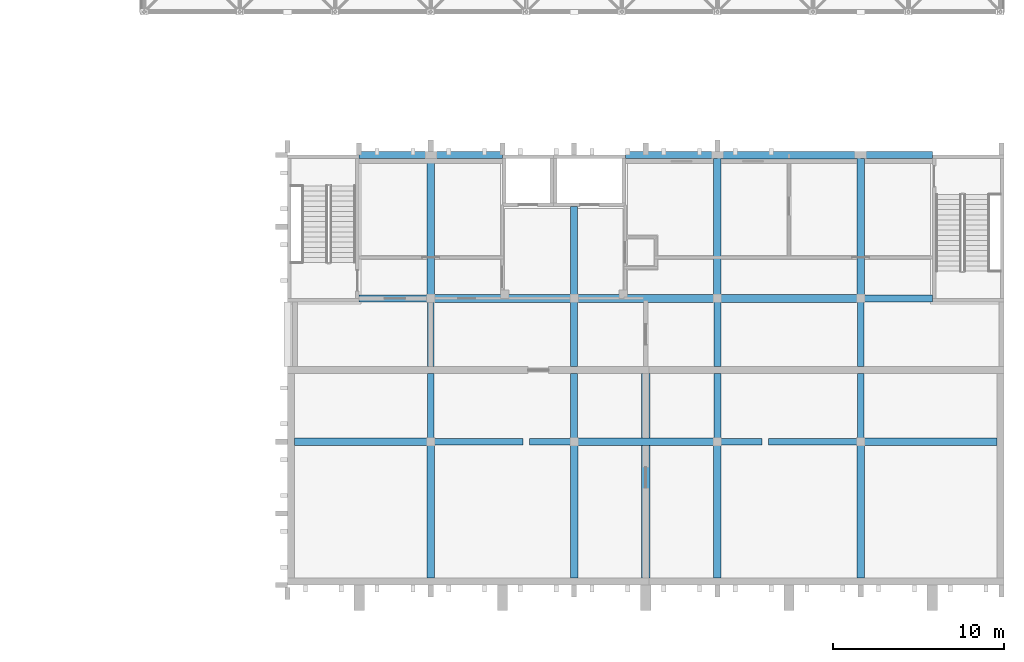
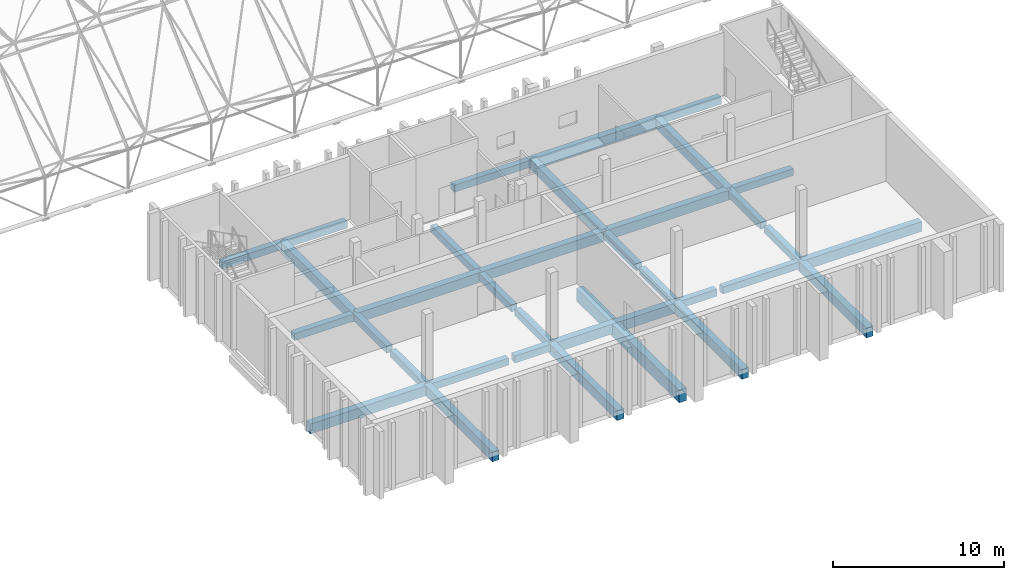
# One storey, part 32 of 100: 34 beams.
"""IFC4 building model written with IfcOpenShell, lengths in metres."""

from ifc_helpers import new_model, si_unit, direction, frame, origin, origin_2d, place, context, subcontext, project, spatial, rectangle, extrude, material, material_profile, profile_set, type_object, element, save


model = new_model("IFC4")

# Units and contexts
model_context = context("Model", 3, precision=1e-05, world=origin(), true_north=direction((0.0, 1.0)))
body_context = subcontext(model_context, "Body", "Model", "MODEL_VIEW")
ifc_project = project(units=[si_unit("LENGTHUNIT", "METRE"), si_unit("AREAUNIT", "SQUARE_METRE"), si_unit("VOLUMEUNIT", "CUBIC_METRE"), si_unit("PLANEANGLEUNIT", "RADIAN"), si_unit("MASSUNIT", "GRAM", prefix="KILO")], contexts=[model_context])

# Site, building, storey
site_placement = place(None, origin())
site = spatial("IfcSite", under=ifc_project, at=site_placement, CompositionType="ELEMENT")
building_placement = place(site_placement, origin())
building = spatial("IfcBuilding", under=site, at=building_placement, Name="Kiln Court Media Centre", CompositionType="ELEMENT")
storey_placement = place(building_placement, frame((0.0, 0.0, 15.0)))
storey = spatial("IfcBuildingStorey", under=building, at=storey_placement, Name="L03", CompositionType="ELEMENT", Elevation=15.0)

# Beams
ifc_material_1 = material(Name="Concrete C30/37", Category="concrete")
ifc_material_profile_1 = material_profile(ifc_material_1, rectangle(XDim=0.39990234375, YDim=0.5, at=origin_2d()), Name="RC 400x500")
ifc_profile_set_1 = profile_set([ifc_material_profile_1], Name="Concrete C30/37")
beam_type_1 = type_object("IfcBeamType", Name="Concrete C30/37 beam 400x500", PredefinedType="BEAM", material=ifc_profile_set_1)
for number, where, z_axis, x_axis, name in (
    (1, (134.39990234375, 8.39990234375, -0.550048828125), (0.0, 1.0, 0.0), (-1.0, 0.0, 0.0), "L03-B-1101"),
    (2, (134.39990234375, 12.800048828125, -0.550048828125), (0.0, 1.0, 0.0), (-1.0, 0.0, 0.0), "L03-B-1102"),
    (3, (142.800048828125, 8.39990234375, -0.550048828125), (0.0, 1.0, 0.0), (-1.0, 0.0, 0.0), "L03-B-1105"),
    (4, (142.800048828125, 12.800048828125, -0.550048828125), (0.0, 1.0, 0.0), (-1.0, 0.0, 0.0), "L03-B-1106"),
):
    element("IfcBeam", number, at=place(storey_placement, frame(where, z_axis=z_axis, x_axis=x_axis)), inside=storey, type_object=beam_type_1, Name=name, PredefinedType="BEAM", context=body_context, shape_type="SweptSolid", body=[
        extrude(rectangle(XDim=0.39990234375, YDim=0.5, at=origin_2d()), origin(), (0.0, 0.0, 1.0), 4.0),
    ])
beam_1_placement = place(storey_placement, frame((142.800048828125, 16.800048828125, -0.550048828125), z_axis=(0.0, 1.0, 0.0), x_axis=(-1.0, 0.0, 0.0)))
element("IfcBeam", 5, at=beam_1_placement, inside=storey, type_object=beam_type_1, Name="L03-B-1107", PredefinedType="BEAM", context=body_context, shape_type="SweptSolid", body=[
    extrude(rectangle(XDim=0.39990234375, YDim=0.5, at=origin_2d()), origin(), (0.0, 0.0, 1.0), 5.39990234375),
])
for number, where, z_axis, x_axis, name in (
    (6, (151.199951171875, 8.39990234375, -0.550048828125), (0.0, 1.0, 0.0), (-1.0, 0.0, 0.0), "L03-B-1109"),
    (7, (151.199951171875, 12.800048828125, -0.550048828125), (0.0, 1.0, 0.0), (-1.0, 0.0, 0.0), "L03-B-1110"),
    (8, (159.60009765625, 8.39990234375, -0.550048828125), (0.0, 1.0, 0.0), (-1.0, 0.0, 0.0), "L03-B-1113"),
    (9, (159.60009765625, 12.800048828125, -0.550048828125), (0.0, 1.0, 0.0), (-1.0, 0.0, 0.0), "L03-B-1114"),
):
    element("IfcBeam", number, at=place(storey_placement, frame(where, z_axis=z_axis, x_axis=x_axis)), inside=storey, type_object=beam_type_1, Name=name, PredefinedType="BEAM", context=body_context, shape_type="SweptSolid", body=[
        extrude(rectangle(XDim=0.39990234375, YDim=0.5, at=origin_2d()), origin(), (0.0, 0.0, 1.0), 4.0),
    ])
beam_2_placement = place(storey_placement, frame((134.39990234375, 8.39990234375, -0.550048828125), z_axis=(1.0, 0.0, 0.0), x_axis=(0.0, 1.0, 0.0)))
element("IfcBeam", 10, at=beam_2_placement, inside=storey, type_object=beam_type_1, Name="L03-B-1117", PredefinedType="BEAM", context=body_context, shape_type="SweptSolid", body=[
    extrude(rectangle(XDim=0.39990234375, YDim=0.5, at=origin_2d()), origin(), (0.0, 0.0, 1.0), 5.400146484375),
])
for number, where, z_axis, x_axis, name in (
    (11, (140.199951171875, 8.39990234375, -0.550048828125), (1.0, 0.0, 0.0), (0.0, 1.0, 0.0), "L03-B-1118"),
    (12, (151.199951171875, 8.39990234375, -0.550048828125), (1.0, 0.0, 0.0), (0.0, 1.0, 0.0), "L03-B-1120"),
):
    element("IfcBeam", number, at=place(storey_placement, frame(where, z_axis=z_axis, x_axis=x_axis)), inside=storey, type_object=beam_type_1, Name=name, PredefinedType="BEAM", context=body_context, shape_type="SweptSolid", body=[
        extrude(rectangle(XDim=0.39990234375, YDim=0.5, at=origin_2d()), origin(), (0.0, 0.0, 1.0), 2.60009765625),
    ])
beam_3_placement = place(storey_placement, frame((154.199951171875, 8.39990234375, -0.550048828125), z_axis=(1.0, 0.0, 0.0), x_axis=(0.0, 1.0, 0.0)))
element("IfcBeam", 13, at=beam_3_placement, inside=storey, type_object=beam_type_1, Name="L03-B-1121", PredefinedType="BEAM", context=body_context, shape_type="SweptSolid", body=[
    extrude(rectangle(XDim=0.39990234375, YDim=0.5, at=origin_2d()), origin(), (0.0, 0.0, 1.0), 5.400146484375),
])
for number, where, z_axis, x_axis, name in (
    (14, (130.199951171875, 16.800048828125, -0.550048828125), (1.0, 0.0, 0.0), (0.0, 1.0, 0.0), "L03-B-1123"),
    (15, (159.60009765625, 16.800048828125, -0.550048828125), (1.0, 0.0, 0.0), (0.0, 1.0, 0.0), "L03-B-1127"),
    (16, (130.199951171875, 25.199951171875, -0.550048828125), (1.0, 0.0, 0.0), (0.0, 1.0, 0.0), "L03-B-1128"),
):
    element("IfcBeam", number, at=place(storey_placement, frame(where, z_axis=z_axis, x_axis=x_axis)), inside=storey, type_object=beam_type_1, Name=name, PredefinedType="BEAM", context=body_context, shape_type="SweptSolid", body=[
        extrude(rectangle(XDim=0.39990234375, YDim=0.5, at=origin_2d()), origin(), (0.0, 0.0, 1.0), 4.199951171875),
    ])
beam_4_placement = place(storey_placement, frame((134.39990234375, 25.199951171875, -0.550048828125), z_axis=(1.0, 0.0, 0.0), x_axis=(0.0, 1.0, 0.0)))
element("IfcBeam", 17, at=beam_4_placement, inside=storey, type_object=beam_type_1, Name="L03-B-1129", PredefinedType="BEAM", context=body_context, shape_type="SweptSolid", body=[
    extrude(rectangle(XDim=0.39990234375, YDim=0.5, at=origin_2d()), origin(), (0.0, 0.0, 1.0), 4.2001953125),
])
beam_5_placement = place(storey_placement, frame((145.800048828125, 25.199951171875, -0.550048828125), z_axis=(1.0, 0.0, 0.0), x_axis=(0.0, 1.0, 0.0)))
element("IfcBeam", 18, at=beam_5_placement, inside=storey, type_object=beam_type_1, Name="L03-B-1130", PredefinedType="BEAM", context=body_context, shape_type="SweptSolid", body=[
    extrude(rectangle(XDim=0.39990234375, YDim=0.5, at=origin_2d()), origin(), (0.0, 0.0, 1.0), 5.39990234375),
])
beam_6_placement = place(storey_placement, frame((159.60009765625, 25.199951171875, -0.550048828125), z_axis=(1.0, 0.0, 0.0), x_axis=(0.0, 1.0, 0.0)))
element("IfcBeam", 19, at=beam_6_placement, inside=storey, type_object=beam_type_1, Name="L03-B-1132", PredefinedType="BEAM", context=body_context, shape_type="SweptSolid", body=[
    extrude(rectangle(XDim=0.39990234375, YDim=0.5, at=origin_2d()), origin(), (0.0, 0.0, 1.0), 4.199951171875),
])
ifc_material_2 = material(Name="Concrete C30/37", Category="concrete")
ifc_material_profile_2 = material_profile(ifc_material_2, rectangle(XDim=0.449951171875, YDim=0.699951171875, at=origin_2d()), Name="RC 450x700")
ifc_profile_set_2 = profile_set([ifc_material_profile_2], Name="Concrete C30/37")
beam_type_2 = type_object("IfcBeamType", Name="Concrete C30/37 beam 450x700", PredefinedType="BEAM", material=ifc_profile_set_2)
beam_7_placement = place(storey_placement, frame((134.39990234375, 0.39990234375, -0.64990234375), z_axis=(0.0, 1.0, 0.0), x_axis=(-1.0, 0.0, 0.0)))
element("IfcBeam", 20, at=beam_7_placement, inside=storey, type_object=beam_type_2, Name="L03-B-1100", PredefinedType="BEAM", context=body_context, shape_type="SweptSolid", body=[
    extrude(rectangle(XDim=0.449951171875, YDim=0.699951171875, at=origin_2d()), origin(), (0.0, 0.0, 1.0), 8.0),
])
beam_8_placement = place(storey_placement, frame((134.39990234375, 16.800048828125, -0.64990234375), z_axis=(0.0, 1.0, 0.0), x_axis=(-1.0, 0.0, 0.0)))
element("IfcBeam", 21, at=beam_8_placement, inside=storey, type_object=beam_type_2, Name="L03-B-1103", PredefinedType="BEAM", context=body_context, shape_type="SweptSolid", body=[
    extrude(rectangle(XDim=0.449951171875, YDim=0.699951171875, at=origin_2d()), origin(), (0.0, 0.0, 1.0), 8.39990234375),
])
for number, where, z_axis, x_axis, name in (
    (22, (142.800048828125, 0.39990234375, -0.64990234375), (0.0, 1.0, 0.0), (-1.0, 0.0, 0.0), "L03-B-1104"),
    (23, (151.199951171875, 0.39990234375, -0.64990234375), (0.0, 1.0, 0.0), (-1.0, 0.0, 0.0), "L03-B-1108"),
):
    element("IfcBeam", number, at=place(storey_placement, frame(where, z_axis=z_axis, x_axis=x_axis)), inside=storey, type_object=beam_type_2, Name=name, PredefinedType="BEAM", context=body_context, shape_type="SweptSolid", body=[
        extrude(rectangle(XDim=0.449951171875, YDim=0.699951171875, at=origin_2d()), origin(), (0.0, 0.0, 1.0), 8.0),
    ])
beam_9_placement = place(storey_placement, frame((151.199951171875, 16.800048828125, -0.64990234375), z_axis=(0.0, 1.0, 0.0), x_axis=(-1.0, 0.0, 0.0)))
element("IfcBeam", 24, at=beam_9_placement, inside=storey, type_object=beam_type_2, Name="L03-B-1111", PredefinedType="BEAM", context=body_context, shape_type="SweptSolid", body=[
    extrude(rectangle(XDim=0.449951171875, YDim=0.699951171875, at=origin_2d()), origin(), (0.0, 0.0, 1.0), 8.39990234375),
])
beam_10_placement = place(storey_placement, frame((159.60009765625, 0.39990234375, -0.64990234375), z_axis=(0.0, 1.0, 0.0), x_axis=(-1.0, 0.0, 0.0)))
element("IfcBeam", 25, at=beam_10_placement, inside=storey, type_object=beam_type_2, Name="L03-B-1112", PredefinedType="BEAM", context=body_context, shape_type="SweptSolid", body=[
    extrude(rectangle(XDim=0.449951171875, YDim=0.699951171875, at=origin_2d()), origin(), (0.0, 0.0, 1.0), 8.0),
])
beam_11_placement = place(storey_placement, frame((159.60009765625, 16.800048828125, -0.64990234375), z_axis=(0.0, 1.0, 0.0), x_axis=(-1.0, 0.0, 0.0)))
element("IfcBeam", 26, at=beam_11_placement, inside=storey, type_object=beam_type_2, Name="L03-B-1115", PredefinedType="BEAM", context=body_context, shape_type="SweptSolid", body=[
    extrude(rectangle(XDim=0.449951171875, YDim=0.699951171875, at=origin_2d()), origin(), (0.0, 0.0, 1.0), 8.39990234375),
])
beam_12_placement = place(storey_placement, frame((126.39990234375, 8.39990234375, -0.64990234375), z_axis=(1.0, 0.0, 0.0), x_axis=(0.0, 1.0, 0.0)))
element("IfcBeam", 27, at=beam_12_placement, inside=storey, type_object=beam_type_2, Name="L03-B-1116", PredefinedType="BEAM", context=body_context, shape_type="SweptSolid", body=[
    extrude(rectangle(XDim=0.449951171875, YDim=0.699951171875, at=origin_2d()), origin(), (0.0, 0.0, 1.0), 8.0),
])
beam_13_placement = place(storey_placement, frame((142.800048828125, 8.39990234375, -0.64990234375), z_axis=(1.0, 0.0, 0.0), x_axis=(0.0, 1.0, 0.0)))
element("IfcBeam", 28, at=beam_13_placement, inside=storey, type_object=beam_type_2, Name="L03-B-1119", PredefinedType="BEAM", context=body_context, shape_type="SweptSolid", body=[
    extrude(rectangle(XDim=0.449951171875, YDim=0.699951171875, at=origin_2d()), origin(), (0.0, 0.0, 1.0), 8.39990234375),
])
beam_14_placement = place(storey_placement, frame((159.60009765625, 8.39990234375, -0.64990234375), z_axis=(1.0, 0.0, 0.0), x_axis=(0.0, 1.0, 0.0)))
element("IfcBeam", 29, at=beam_14_placement, inside=storey, type_object=beam_type_2, Name="L03-B-1122", PredefinedType="BEAM", context=body_context, shape_type="SweptSolid", body=[
    extrude(rectangle(XDim=0.449951171875, YDim=0.699951171875, at=origin_2d()), origin(), (0.0, 0.0, 1.0), 8.0),
])
beam_15_placement = place(storey_placement, frame((134.39990234375, 16.800048828125, -0.64990234375), z_axis=(1.0, 0.0, 0.0), x_axis=(0.0, 1.0, 0.0)))
element("IfcBeam", 30, at=beam_15_placement, inside=storey, type_object=beam_type_2, Name="L03-B-1124", PredefinedType="BEAM", context=body_context, shape_type="SweptSolid", body=[
    extrude(rectangle(XDim=0.449951171875, YDim=0.699951171875, at=origin_2d()), origin(), (0.0, 0.0, 1.0), 8.400146484375),
])
beam_16_placement = place(storey_placement, frame((142.800048828125, 16.800048828125, -0.64990234375), z_axis=(1.0, 0.0, 0.0), x_axis=(0.0, 1.0, 0.0)))
element("IfcBeam", 31, at=beam_16_placement, inside=storey, type_object=beam_type_2, Name="L03-B-1125", PredefinedType="BEAM", context=body_context, shape_type="SweptSolid", body=[
    extrude(rectangle(XDim=0.449951171875, YDim=0.699951171875, at=origin_2d()), origin(), (0.0, 0.0, 1.0), 8.39990234375),
])
for number, where, z_axis, x_axis, name in (
    (32, (151.199951171875, 16.800048828125, -0.64990234375), (1.0, 0.0, 0.0), (0.0, 1.0, 0.0), "L03-B-1126"),
    (33, (151.199951171875, 25.199951171875, -0.64990234375), (1.0, 0.0, 0.0), (0.0, 1.0, 0.0), "L03-B-1131"),
):
    element("IfcBeam", number, at=place(storey_placement, frame(where, z_axis=z_axis, x_axis=x_axis)), inside=storey, type_object=beam_type_2, Name=name, PredefinedType="BEAM", context=body_context, shape_type="SweptSolid", body=[
        extrude(rectangle(XDim=0.449951171875, YDim=0.699951171875, at=origin_2d()), origin(), (0.0, 0.0, 1.0), 8.400146484375),
    ])
ifc_material_3 = material(Name="Concrete C30/37", Category="concrete")
ifc_material_profile_3 = material_profile(ifc_material_3, rectangle(XDim=0.5, YDim=0.89990234375, at=origin_2d()), Name="RC 500x900")
ifc_profile_set_3 = profile_set([ifc_material_profile_3], Name="Concrete C30/37")
beam_type_3 = type_object("IfcBeamType", Name="Concrete C30/37 beam 500x900", PredefinedType="BEAM", material=ifc_profile_set_3)
beam_17_placement = place(storey_placement, frame((147.0, 12.39990234375, -0.75), z_axis=(0.0, -1.0, 0.0), x_axis=(1.0, 0.0, 0.0)))
element("IfcBeam", 34, at=beam_17_placement, inside=storey, type_object=beam_type_3, Name="L03-B-1133", PredefinedType="BEAM", context=body_context, shape_type="SweptSolid", body=[
    extrude(rectangle(XDim=0.5, YDim=0.89990234375, at=origin_2d()), origin(), (0.0, 0.0, 1.0), 12.0),
])

save(model, "model.ifc")
